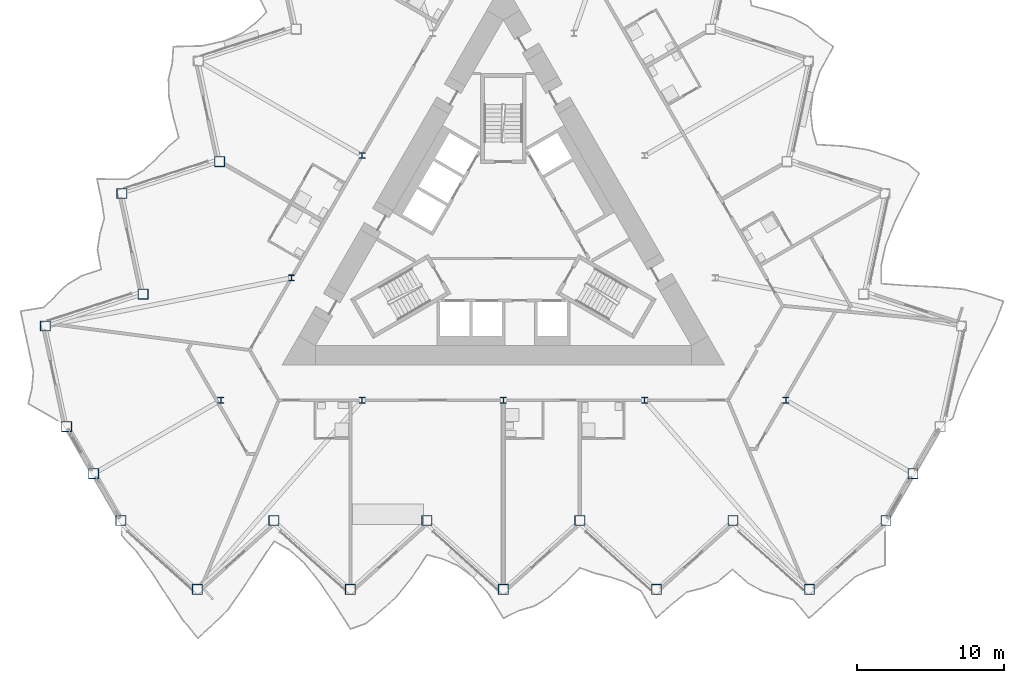
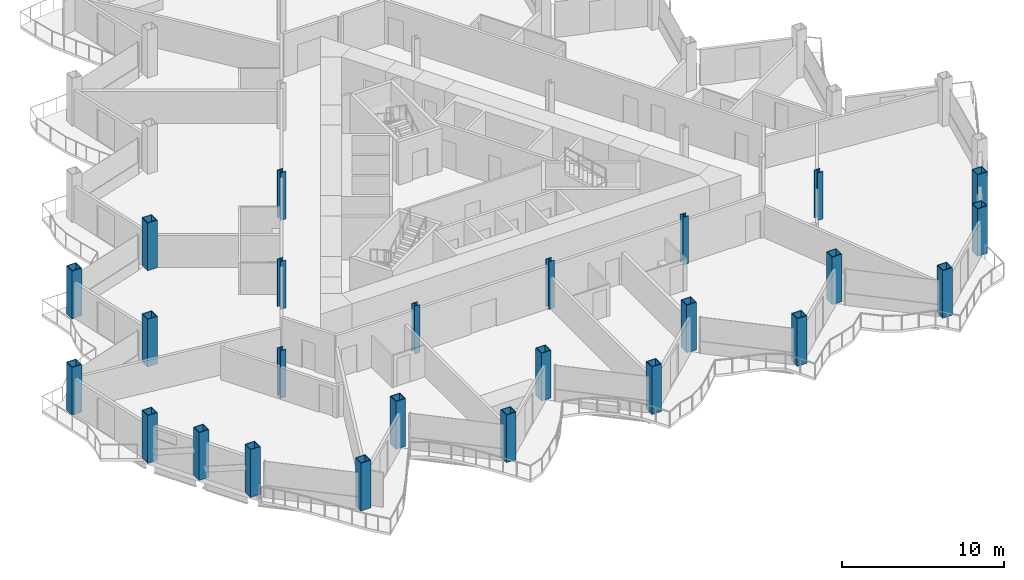
# One storey, part 1 of 23: 25 columns.
"""IFC4 building model written with IfcOpenShell, lengths in metres."""

from ifc_helpers import new_model, si_unit, direction, frame, origin, origin_2d, place, context, subcontext, project, spatial, hollow_rectangle, i_section, extrude, material, material_profile, profile_set, type_object, element, save


model = new_model("IFC4")

# Units and contexts
model_context = context("Model", 3, precision=1e-05, world=origin(), true_north=direction((0.0, 1.0)))
body_context = subcontext(model_context, "Body", "Model", "MODEL_VIEW")
ifc_project = project(units=[si_unit("LENGTHUNIT", "METRE"), si_unit("AREAUNIT", "SQUARE_METRE"), si_unit("VOLUMEUNIT", "CUBIC_METRE"), si_unit("PLANEANGLEUNIT", "RADIAN"), si_unit("MASSUNIT", "GRAM", prefix="KILO")], contexts=[model_context])

# Site, building, storey
site_placement = place(None, origin())
site = spatial("IfcSite", under=ifc_project, at=site_placement, CompositionType="ELEMENT")
building_placement = place(site_placement, origin())
building = spatial("IfcBuilding", under=site, at=building_placement, Name="Cormorant Prow Tower", CompositionType="ELEMENT")
storey_placement = place(building_placement, frame((0.0, 0.0, 256.199951171875)))
storey = spatial("IfcBuildingStorey", under=building, at=storey_placement, Name="L57", CompositionType="ELEMENT", Elevation=256.199951171875)

# Columns
ifc_material_1 = material(Name="Structural steel ASTM A572 Gr 50", Category="steel")
ifc_material_profile_1 = material_profile(ifc_material_1, hollow_rectangle(XDim=0.699951171875, YDim=0.699951171875, WallThickness=0.044921875, at=origin_2d()), Name="Box 700x700x45")
ifc_profile_set_1 = profile_set([ifc_material_profile_1], Name="Structural steel ASTM A572 Gr 50")
column_type_1 = type_object("IfcColumnType", Name="Perimeter box column 700x700x45", PredefinedType="COLUMN", material=ifc_profile_set_1)
for number, where, z_axis, x_axis, name in (
    (1, (-25.941162109375, -19.21533203125, 0.0), (0.0, 0.0, 1.0), (1.0, 0.0, 0.0), "Perimeter column C5 at S00 L57"),
    (2, (-20.7529296875, -23.886962890625, 0.0), (0.0, 0.0, 1.0), (1.0, 0.0, 0.0), "Perimeter column C5 at S01 L57"),
    (3, (-15.564697265625, -19.21533203125, 0.0), (0.0, 0.0, 1.0), (1.0, 0.0, 0.0), "Perimeter column C5 at S02 L57"),
    (4, (-10.37646484375, -23.886962890625, 0.0), (0.0, 0.0, 1.0), (1.0, 0.0, 0.0), "Perimeter column C5 at S03 L57"),
    (5, (-5.188232421875, -19.21533203125, 0.0), (0.0, 0.0, 1.0), (1.0, 0.0, 0.0), "Perimeter column C5 at S04 L57"),
    (6, (0.0, -23.886962890625, 0.0), (0.0, 0.0, 1.0), (1.0, 0.0, 0.0), "Perimeter column C5 at S05 L57"),
    (7, (5.188232421875, -19.21533203125, 0.0), (0.0, 0.0, 1.0), (1.0, 0.0, 0.0), "Perimeter column C5 at S06 L57"),
    (8, (10.37646484375, -23.886962890625, 0.0), (0.0, 0.0, 1.0), (1.0, 0.0, 0.0), "Perimeter column C5 at S07 L57"),
    (9, (15.564697265625, -19.21533203125, 0.0), (0.0, 0.0, 1.0), (1.0, 0.0, 0.0), "Perimeter column C5 at S08 L57"),
    (10, (20.7529296875, -23.886962890625, 0.0), (0.0, 0.0, 1.0), (1.0, 0.0, 0.0), "Perimeter column C5 at S09 L57"),
    (11, (25.941162109375, -19.21533203125, 0.0), (0.0, 0.0, 1.0), (1.0, 0.0, 0.0), "Perimeter column C5 at ESE00 L57"),
    (12, (27.7763671875, -16.03662109375, 0.0), (0.0, 0.0, 1.0), (1.0, 0.0, 0.0), "Perimeter column C5 at ESE01 L57"),
    (13, (-19.235107421875, 5.114501953125, 0.0), (0.0, 0.0, 1.0), (1.0, 0.0, 0.0), "Perimeter column C5 at WNW06 L57"),
    (14, (-25.875, 2.957275390625, 0.0), (0.0, 0.0, 1.0), (1.0, 0.0, 0.0), "Perimeter column C5 at WNW07 L57"),
    (15, (-24.42333984375, -3.871826171875, 0.0), (0.0, 0.0, 1.0), (1.0, 0.0, 0.0), "Perimeter column C5 at WNW08 L57"),
    (16, (-31.063232421875, -6.029052734375, 0.0), (0.0, 0.0, 1.0), (1.0, 0.0, 0.0), "Perimeter column C5 at WNW09 L57"),
    (17, (-29.611572265625, -12.858154296875, 0.0), (0.0, 0.0, 1.0), (1.0, 0.0, 0.0), "Perimeter column C5 at WSW00 L57"),
    (18, (-27.7763671875, -16.03662109375, 0.0), (0.0, 0.0, 1.0), (1.0, 0.0, 0.0), "Perimeter column C5 at WSW01 L57"),
):
    element("IfcColumn", number, at=place(storey_placement, frame(where, z_axis=z_axis, x_axis=x_axis)), inside=storey, type_object=column_type_1, Name=name, PredefinedType="COLUMN", context=body_context, shape_type="SweptSolid", body=[
        extrude(hollow_rectangle(XDim=0.699951171875, YDim=0.699951171875, WallThickness=0.044921875, at=origin_2d()), origin(), (0.0, 0.0, 1.0), 3.60009765625),
    ])
ifc_material_2 = material(Name="Structural steel ASTM A992 Gr 50", Category="steel")
ifc_material_profile_2 = material_profile(ifc_material_2, i_section(OverallWidth=0.39892578125, OverallDepth=0.393310546875, WebThickness=0.022705078125, FlangeThickness=0.03662109375, at=origin_2d()), Name="W14x193")
ifc_profile_set_2 = profile_set([ifc_material_profile_2], Name="Structural steel ASTM A992 Gr 50")
column_type_2 = type_object("IfcColumnType", Name="Ring column W14x193", PredefinedType="COLUMN", material=ifc_profile_set_2)
for number, where, z_axis, x_axis, name in (
    (19, (-9.578369140625, 5.530029296875, 0.0), (0.0, 0.0, 1.0), (1.0, 0.0, 0.0), "Ring column 3 L57"),
    (20, (-14.36767578125, -2.76513671875, 0.0), (0.0, 0.0, 1.0), (1.0, 0.0, 0.0), "Ring column 4 L57"),
    (21, (-19.156982421875, -11.060302734375, 0.0), (0.0, 0.0, 1.0), (1.0, 0.0, 0.0), "Ring column 5 L57"),
    (22, (-9.578369140625, -11.060302734375, 0.0), (0.0, 0.0, 1.0), (1.0, 0.0, 0.0), "Ring column 6 L57"),
    (23, (0.0, -11.060302734375, 0.0), (0.0, 0.0, 1.0), (1.0, 0.0, 0.0), "Ring column 7 L57"),
    (24, (9.578369140625, -11.060302734375, 0.0), (0.0, 0.0, 1.0), (1.0, 0.0, 0.0), "Ring column 8 L57"),
    (25, (19.156982421875, -11.060302734375, 0.0), (0.0, 0.0, 1.0), (1.0, 0.0, 0.0), "Ring column 9 L57"),
):
    element("IfcColumn", number, at=place(storey_placement, frame(where, z_axis=z_axis, x_axis=x_axis)), inside=storey, type_object=column_type_2, Name=name, PredefinedType="COLUMN", context=body_context, shape_type="SweptSolid", body=[
        extrude(i_section(OverallWidth=0.39892578125, OverallDepth=0.393310546875, WebThickness=0.022705078125, FlangeThickness=0.03662109375, at=origin_2d()), origin(), (0.0, 0.0, 1.0), 3.60009765625),
    ])

save(model, "model.ifc")
